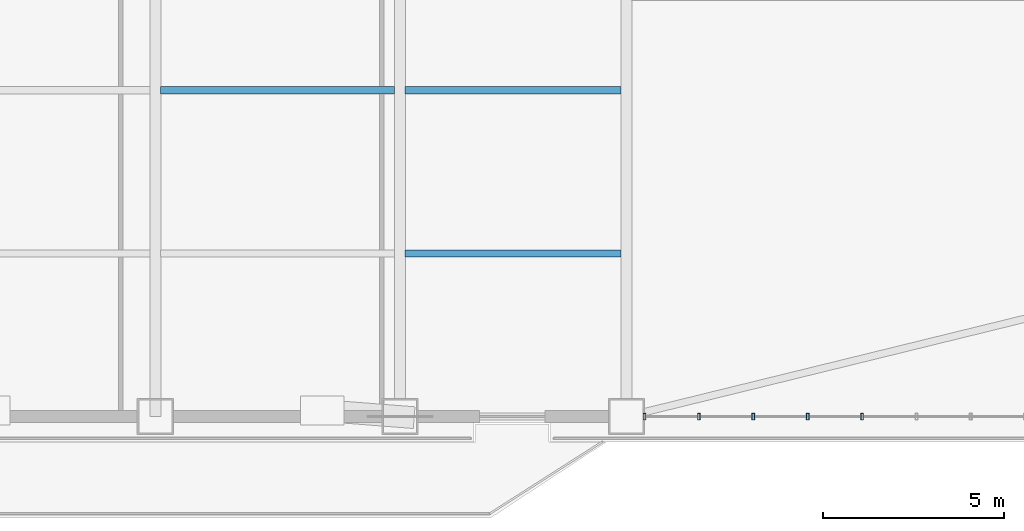
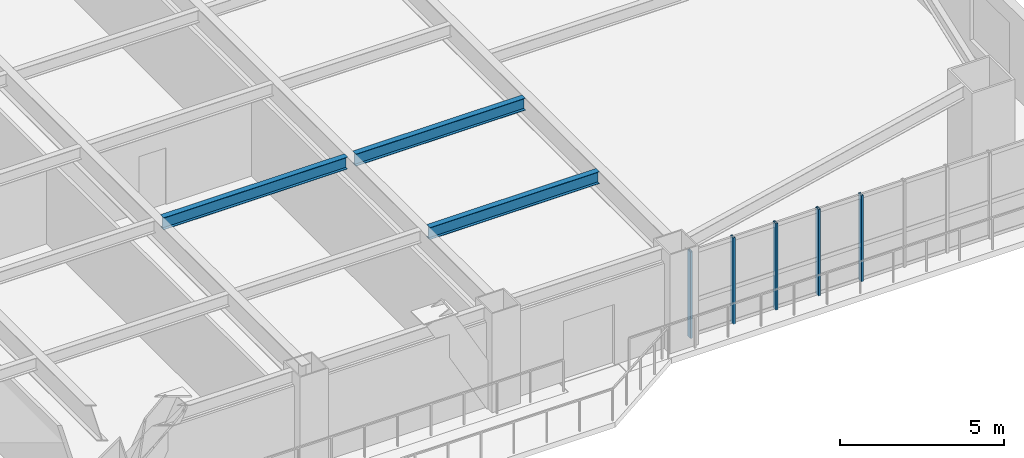
# One storey, part 4 of 16: 5 members, 3 beams, 1 element without a shape of its own.
"""IFC4 building model written with IfcOpenShell, lengths in metres."""

from ifc_helpers import new_model, si_unit, direction, frame, origin, origin_2d, place, context, subcontext, project, spatial, hollow_rectangle, i_section, extrude, source, transform, mapped, material, layer, layer_set, material_profile, profile_set, type_object, element, aggregate, save


model = new_model("IFC4")

# Units and contexts
model_context = context("Model", 3, precision=1e-05, world=origin(), true_north=direction((0.0, 1.0)))
body_context = subcontext(model_context, "Body", "Model", "MODEL_VIEW")
ifc_project = project(units=[si_unit("LENGTHUNIT", "METRE"), si_unit("AREAUNIT", "SQUARE_METRE"), si_unit("VOLUMEUNIT", "CUBIC_METRE"), si_unit("PLANEANGLEUNIT", "RADIAN"), si_unit("MASSUNIT", "GRAM", prefix="KILO")], contexts=[model_context])

# Site, building, storey
site_placement = place(None, origin())
site = spatial("IfcSite", under=ifc_project, at=site_placement, CompositionType="ELEMENT")
building_placement = place(site_placement, origin())
building = spatial("IfcBuilding", under=site, at=building_placement, Name="Giltprow Tower", CompositionType="ELEMENT")
storey_placement = place(building_placement, frame((0.0, 0.0, 87.39990234375)))
storey = spatial("IfcBuildingStorey", under=building, at=storey_placement, Name="L21", CompositionType="ELEMENT", Elevation=87.39990234375)

# Beams
ifc_material_1 = material(Name="Structural steel Q355B", Category="steel")
ifc_material_profile_1 = material_profile(ifc_material_1, i_section(OverallWidth=0.199951171875, OverallDepth=0.449951171875, WebThickness=0.009033203125, FlangeThickness=0.013916015625, at=origin_2d()), Name="HN 450x200x9x14")
ifc_profile_set_1 = profile_set([ifc_material_profile_1], Name="Structural steel Q355B")
beam_type = type_object("IfcBeamType", Name="BM-JOIST-HN450", PredefinedType="JOIST", material=ifc_profile_set_1)
shared_shape_1 = source(origin(), body_context, "Body", "SweptSolid", [
    extrude(i_section(OverallWidth=0.199951171875, OverallDepth=0.449951171875, WebThickness=0.009033203125, FlangeThickness=0.013916015625, at=origin_2d()), origin(), (0.0, 0.0, 1.0), 6.4599609375),
])
beam_placement = place(storey_placement, frame((37.695068359375, 14.93994140625, 3.455078125), z_axis=(1.0, 0.0, 0.0), x_axis=(0.0, 1.0, 0.0)))
element("IfcBeam", 1, at=beam_placement, inside=storey, type_object=beam_type, Name="L21 Composite Floor Joist 2-3", PredefinedType="JOIST", context=body_context, shape_type="MappedRepresentation", body=[
    mapped(shared_shape_1, transform((0.0, 0.0, 0.0), x_axis=(1.0, 0.0, 0.0), y_axis=(0.0, 1.0, 0.0), z_axis=(0.0, 0.0, 1.0), scale=1.0)),
])
shared_shape_2 = source(origin(), body_context, "Body", "SweptSolid", [
    extrude(i_section(OverallWidth=0.199951171875, OverallDepth=0.449951171875, WebThickness=0.009033203125, FlangeThickness=0.013916015625, at=origin_2d()), origin(), (0.0, 0.0, 1.0), 5.9599609375),
])
for number, where, z_axis, x_axis, name in (
    (2, (44.445068359375, 10.43798828125, 3.455078125), (1.0, 0.0, 0.0), (0.0, 1.0, 0.0), "L21 Composite Floor Joist 1-4"),
    (3, (44.445068359375, 14.93994140625, 3.455078125), (1.0, 0.0, 0.0), (0.0, 1.0, 0.0), "L21 Composite Floor Joist 2-4"),
):
    element("IfcBeam", number, at=place(storey_placement, frame(where, z_axis=z_axis, x_axis=x_axis)), inside=storey, type_object=beam_type, Name=name, PredefinedType="JOIST", context=body_context, shape_type="MappedRepresentation", body=[
        mapped(shared_shape_2, transform((0.0, 0.0, 0.0), x_axis=(1.0, 0.0, 0.0), y_axis=(0.0, 1.0, 0.0), z_axis=(0.0, 0.0, 1.0), scale=1.0)),
    ])

# Curtain wall, members
ifc_material_2 = material(Name="Anodized bronze", Category="metal")
ifc_layer = layer(ifc_material_2, 0.179931640625, Name="Anodized bronze")
ifc_layer_set = layer_set([ifc_layer], Name="Anodized bronze")
curtain_wall_type = type_object("IfcCurtainWallType", Name="CW-OFF-RECESSED", PredefinedType="NOTDEFINED", material=ifc_layer_set)
curtain_wall_placement = place(storey_placement, origin())
curtain_wall = element("IfcCurtainWall", 4, at=curtain_wall_placement, inside=storey, type_object=curtain_wall_type, Name="L21 South Recessed Curtain Wall 6", PredefinedType="NOTDEFINED")
ifc_material_profile_2 = material_profile(ifc_material_2, hollow_rectangle(XDim=0.074951171875, YDim=0.179931640625, WallThickness=0.008056640625, at=origin_2d()), Name="RHS 180x75x8")
ifc_profile_set_2 = profile_set([ifc_material_profile_2], Name="Anodized bronze")
member_type = type_object("IfcMemberType", Name="CW-MULLION-180x75", PredefinedType="MULLION", material=ifc_profile_set_2)
shared_shape_3 = source(origin(), body_context, "Body", "SweptSolid", [
    extrude(hollow_rectangle(XDim=0.074951171875, YDim=0.179931640625, WallThickness=0.008056640625, at=origin_2d()), origin(), (0.0, 0.0, 1.0), 3.215087890625),
])
member_1_placement = place(storey_placement, frame((51.050048828125, 5.93603515625, -0.02001953125), z_axis=(0.0, 0.0, 1.0), x_axis=(1.0, 0.0, 0.0)))
member_1 = element("IfcMember", 5, at=member_1_placement, type_object=member_type, Name="L21 South Recessed Curtain Wall 6 Mullion 1", PredefinedType="MULLION", context=body_context, shape_type="MappedRepresentation", body=[
    mapped(shared_shape_3, transform((0.0, 0.0, 0.0), x_axis=(1.0, 0.0, 0.0), y_axis=(0.0, 1.0, 0.0), z_axis=(0.0, 0.0, 1.0), scale=1.0)),
])
member_2_placement = place(storey_placement, frame((52.551025390625, 5.93603515625, -0.02001953125), z_axis=(0.0, 0.0, 1.0), x_axis=(1.0, 0.0, 0.0)))
member_2 = element("IfcMember", 6, at=member_2_placement, type_object=member_type, Name="L21 South Recessed Curtain Wall 6 Mullion 2", PredefinedType="MULLION", context=body_context, shape_type="MappedRepresentation", body=[
    mapped(shared_shape_3, transform((0.0, 0.0, 0.0), x_axis=(1.0, 0.0, 0.0), y_axis=(0.0, 1.0, 0.0), z_axis=(0.0, 0.0, 1.0), scale=1.0)),
])
member_3_placement = place(storey_placement, frame((54.051025390625, 5.93603515625, -0.02001953125), z_axis=(0.0, 0.0, 1.0), x_axis=(1.0, 0.0, 0.0)))
member_3 = element("IfcMember", 7, at=member_3_placement, type_object=member_type, Name="L21 South Recessed Curtain Wall 6 Mullion 3", PredefinedType="MULLION", context=body_context, shape_type="MappedRepresentation", body=[
    mapped(shared_shape_3, transform((0.0, 0.0, 0.0), x_axis=(1.0, 0.0, 0.0), y_axis=(0.0, 1.0, 0.0), z_axis=(0.0, 0.0, 1.0), scale=1.0)),
])
member_4_placement = place(storey_placement, frame((55.552001953125, 5.93603515625, -0.02001953125), z_axis=(0.0, 0.0, 1.0), x_axis=(1.0, 0.0, 0.0)))
member_4 = element("IfcMember", 8, at=member_4_placement, type_object=member_type, Name="L21 South Recessed Curtain Wall 6 Mullion 4", PredefinedType="MULLION", context=body_context, shape_type="MappedRepresentation", body=[
    mapped(shared_shape_3, transform((0.0, 0.0, 0.0), x_axis=(1.0, 0.0, 0.0), y_axis=(0.0, 1.0, 0.0), z_axis=(0.0, 0.0, 1.0), scale=1.0)),
])
member_5_placement = place(storey_placement, frame((57.052978515625, 5.93603515625, -0.02001953125), z_axis=(0.0, 0.0, 1.0), x_axis=(1.0, 0.0, 0.0)))
member_5 = element("IfcMember", 9, at=member_5_placement, type_object=member_type, Name="L21 South Recessed Curtain Wall 6 Mullion 5", PredefinedType="MULLION", context=body_context, shape_type="MappedRepresentation", body=[
    mapped(shared_shape_3, transform((0.0, 0.0, 0.0), x_axis=(1.0, 0.0, 0.0), y_axis=(0.0, 1.0, 0.0), z_axis=(0.0, 0.0, 1.0), scale=1.0)),
])
aggregate(curtain_wall, [member_1, member_2, member_3, member_4, member_5])

save(model, "model.ifc")
